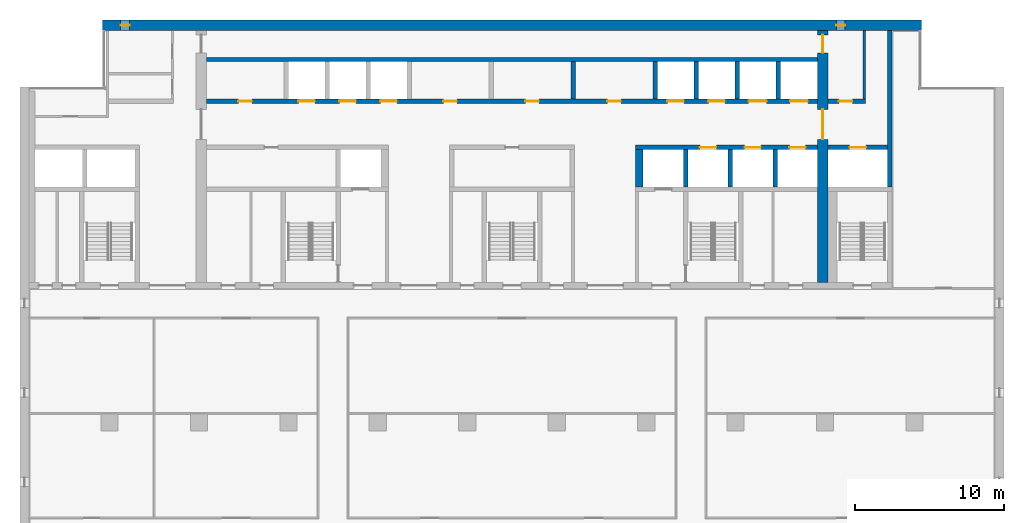
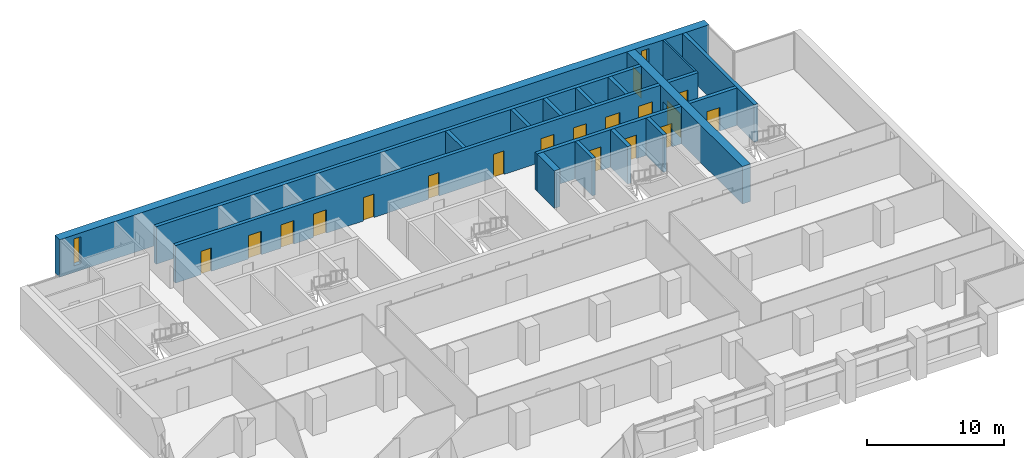
# One storey, part 11 of 16: 18 doors, 18 walls, 2 windows, 20 openings.
"""IFC4 building model written with IfcOpenShell, lengths in metres."""

from ifc_helpers import new_model, si_unit, direction, frame, frame_2d, origin, place, context, subcontext, project, spatial, rectangle, extrude, material, layer, layer_set, type_object, element, fill, save


model = new_model("IFC4")

# Units and contexts
model_context = context("Model", 3, precision=1e-05, world=origin(), true_north=direction((0.0, 1.0)))
body_context = subcontext(model_context, "Body", "Model", "MODEL_VIEW")
ifc_project = project(units=[si_unit("LENGTHUNIT", "METRE"), si_unit("AREAUNIT", "SQUARE_METRE"), si_unit("VOLUMEUNIT", "CUBIC_METRE"), si_unit("PLANEANGLEUNIT", "RADIAN"), si_unit("MASSUNIT", "GRAM", prefix="KILO")], contexts=[model_context])

# Site, building, storey
site_placement = place(None, origin())
site = spatial("IfcSite", under=ifc_project, at=site_placement, CompositionType="ELEMENT")
building_placement = place(site_placement, origin())
building = spatial("IfcBuilding", under=site, at=building_placement, Name="Calvaro Tower", CompositionType="ELEMENT")
storey_placement = place(building_placement, frame((0.0, 0.0, 181.75)))
storey = spatial("IfcBuildingStorey", under=building, at=storey_placement, Name="L45", CompositionType="ELEMENT", Elevation=181.75)

# Walls
ifc_material_1 = material(Name="Blockwork partition", Category="masonry")
ifc_layer_1 = layer(ifc_material_1, 0.14990234375)
ifc_layer_set_1 = layer_set([ifc_layer_1], Name="Blockwork partition")
wall_type_1 = type_object("IfcWallType", Name="Core partition 150 REI 120", PredefinedType="PARTITIONING", material=ifc_layer_set_1)
wall_1_placement = place(storey_placement, frame((62.625, 40.699951171875, 0.0), z_axis=(0.0, 0.0, 1.0), x_axis=(0.0, 1.0, 0.0)))
element("IfcWall", 1, at=wall_1_placement, inside=storey, type_object=wall_type_1, Name="Core partition", PredefinedType="PARTITIONING", context=body_context, shape_type="SweptSolid", body=[
    extrude(rectangle(XDim=4.60009765625, YDim=0.14990234375, at=frame_2d((2.300048828125, 0.0))), origin(), (0.0, 0.0, 1.0), 3.35009765625),
])
ifc_material_2 = material(Name="Blockwork partition", Category="masonry")
ifc_layer_2 = layer(ifc_material_2, 0.300048828125)
ifc_layer_set_2 = layer_set([ifc_layer_2], Name="Blockwork partition")
wall_type_2 = type_object("IfcWallType", Name="Core partition 300 EI 60", PredefinedType="PARTITIONING", material=ifc_layer_set_2)
wall_2_placement = place(storey_placement, frame((43.10009765625, 40.699951171875, 0.0), z_axis=(0.0, 0.0, 1.0), x_axis=(0.0, 1.0, 0.0)))
element("IfcWall", 2, at=wall_2_placement, inside=storey, type_object=wall_type_2, Name="Core partition", PredefinedType="PARTITIONING", context=body_context, shape_type="SweptSolid", body=[
    extrude(rectangle(XDim=2.5, YDim=0.300048828125, at=frame_2d((1.25, 0.0))), origin(), (0.0, 0.0, 1.0), 3.35009765625),
])

# Wall, opening, door
ifc_material_3 = material(Name="Blockwork partition", Category="masonry")
ifc_layer_3 = layer(ifc_material_3, 0.300048828125)
ifc_layer_set_3 = layer_set([ifc_layer_3], Name="Blockwork partition")
wall_type_3 = type_object("IfcWallType", Name="Core partition 300 REI 120", PredefinedType="PARTITIONING", material=ifc_layer_set_3)
wall_3_placement = place(storey_placement, frame((60.199951171875, 40.550048828125, 0.0), z_axis=(0.0, 0.0, 1.0), x_axis=(1.0, 0.0, 0.0)))
wall_3 = element("IfcWall", 3, at=wall_3_placement, inside=storey, type_object=wall_type_3, Name="Core partition", PredefinedType="PARTITIONING", context=body_context, shape_type="SweptSolid", body=[
    extrude(rectangle(XDim=2.5, YDim=0.300048828125, at=frame_2d((1.25, 0.0))), origin(), (0.0, 0.0, 1.0), 3.35009765625),
])
opening_1_placement = place(wall_3_placement, frame((0.72509765625, 0.0, 0.0)))
opening_1 = element("IfcOpeningElement", 4, at=opening_1_placement, cuts=wall_3, Name="Opening RD9E", PredefinedType="OPENING", context=body_context, shape_type="SweptSolid", body=[
    extrude(rectangle(XDim=0.89990234375, YDim=2.10009765625, at=frame_2d((0.449951171875, 1.050048828125))), frame((0.0, 0.159912109375, 0.0), z_axis=(0.0, -1.0, 0.0), x_axis=(1.0, 0.0, 0.0)), (0.0, 0.0, 1.0), 0.320068359375),
])
ifc_material_4 = material(Name="Steel door set", Category="steel")
door_type_1 = type_object("IfcDoorType", Name="Room door 900 FD60", OperationType="SINGLE_SWING_LEFT", PredefinedType="DOOR", material=ifc_material_4)
door_1_placement = place(opening_1_placement, origin())
door_1 = element("IfcDoor", 5, at=door_1_placement, inside=storey, type_object=door_type_1, Name="Room door", OperationType="SINGLE_SWING_LEFT", OverallHeight=2.10009765625, OverallWidth=0.89990234375, PredefinedType="DOOR", context=body_context, shape_type="SweptSolid", body=[
    extrude(rectangle(XDim=0.89990234375, YDim=2.10009765625, at=frame_2d((0.449951171875, 1.050048828125))), frame((0.0, 0.02490234375, 0.0), z_axis=(0.0, -1.0, 0.0), x_axis=(1.0, 0.0, 0.0)), (0.0, 0.0, 1.0), 0.050048828125),
])
fill(opening_1, door_1)

# Wall
ifc_material_5 = material(Name="Concrete C50/60", Category="concrete")
ifc_layer_4 = layer(ifc_material_5, 0.300048828125)
ifc_layer_set_4 = layer_set([ifc_layer_4], Name="Concrete C50/60")
wall_type_4 = type_object("IfcWallType", Name="Core wall C50/60 300", PredefinedType="SHEAR", material=ifc_layer_set_4)
wall_4_placement = place(storey_placement, frame((64.35009765625, 34.800048828125, 0.0), z_axis=(0.0, 0.0, 1.0), x_axis=(0.0, 1.0, 0.0)))
element("IfcWall", 6, at=wall_4_placement, inside=storey, type_object=wall_type_4, Name="Core wall, boundary", PredefinedType="SHEAR", context=body_context, shape_type="SweptSolid", body=[
    extrude(rectangle(XDim=10.5, YDim=0.300048828125, at=frame_2d((5.25, 0.0))), origin(), (0.0, 0.0, 1.0), 3.35009765625),
])

# Wall, openings, doors
wall_5_placement = place(storey_placement, frame((47.300048828125, 37.449951171875, 0.0), z_axis=(0.0, 0.0, 1.0), x_axis=(1.0, 0.0, 0.0)))
wall_5 = element("IfcWall", 7, at=wall_5_placement, inside=storey, type_object=wall_type_4, Name="Core wall, lift shaft", PredefinedType="SHEAR", context=body_context, shape_type="SweptSolid", body=[
    extrude(rectangle(XDim=12.199951171875, YDim=0.300048828125, at=frame_2d((6.10009765625, 0.0))), origin(), (0.0, 0.0, 1.0), 3.35009765625),
])
opening_2_placement = place(wall_5_placement, frame((4.300048828125, 0.0, 0.0)))
opening_2 = element("IfcOpeningElement", 8, at=opening_2_placement, cuts=wall_5, Name="Opening HR1", PredefinedType="OPENING", context=body_context, shape_type="SweptSolid", body=[
    extrude(rectangle(XDim=1.10009765625, YDim=2.10009765625, at=frame_2d((0.550048828125, 1.050048828125))), frame((0.0, 0.159912109375, 0.0), z_axis=(0.0, -1.0, 0.0), x_axis=(1.0, 0.0, 0.0)), (0.0, 0.0, 1.0), 0.320068359375),
])
opening_3_placement = place(wall_5_placement, frame((7.300048828125, 0.0, 0.0)))
opening_3 = element("IfcOpeningElement", 9, at=opening_3_placement, cuts=wall_5, Name="Opening HR2", PredefinedType="OPENING", context=body_context, shape_type="SweptSolid", body=[
    extrude(rectangle(XDim=1.10009765625, YDim=2.10009765625, at=frame_2d((0.550048828125, 1.050048828125))), frame((0.0, 0.159912109375, 0.0), z_axis=(0.0, -1.0, 0.0), x_axis=(1.0, 0.0, 0.0)), (0.0, 0.0, 1.0), 0.320068359375),
])
opening_4_placement = place(wall_5_placement, frame((10.300048828125, 0.0, 0.0)))
opening_4 = element("IfcOpeningElement", 10, at=opening_4_placement, cuts=wall_5, Name="Opening HR3", PredefinedType="OPENING", context=body_context, shape_type="SweptSolid", body=[
    extrude(rectangle(XDim=1.10009765625, YDim=2.10009765625, at=frame_2d((0.550048828125, 1.050048828125))), frame((0.0, 0.159912109375, 0.0), z_axis=(0.0, -1.0, 0.0), x_axis=(1.0, 0.0, 0.0)), (0.0, 0.0, 1.0), 0.320068359375),
])
ifc_material_6 = material(Name="Stainless steel", Category="steel")
door_type_2 = type_object("IfcDoorType", Name="Landing door 1100 E 60", OperationType="SLIDING_TO_LEFT", PredefinedType="DOOR", material=ifc_material_6)
door_2_placement = place(opening_2_placement, origin())
door_2 = element("IfcDoor", 11, at=door_2_placement, inside=storey, type_object=door_type_2, Name="Landing door HR1", OperationType="SLIDING_TO_LEFT", OverallHeight=2.10009765625, OverallWidth=1.10009765625, PredefinedType="DOOR", context=body_context, shape_type="SweptSolid", body=[
    extrude(rectangle(XDim=1.10009765625, YDim=2.10009765625, at=frame_2d((0.550048828125, 1.050048828125))), frame((0.0, 0.02490234375, 0.0), z_axis=(0.0, -1.0, 0.0), x_axis=(1.0, 0.0, 0.0)), (0.0, 0.0, 1.0), 0.050048828125),
])
fill(opening_2, door_2)
door_3_placement = place(opening_3_placement, origin())
door_3 = element("IfcDoor", 12, at=door_3_placement, inside=storey, type_object=door_type_2, Name="Landing door HR2", OperationType="SLIDING_TO_LEFT", OverallHeight=2.10009765625, OverallWidth=1.10009765625, PredefinedType="DOOR", context=body_context, shape_type="SweptSolid", body=[
    extrude(rectangle(XDim=1.10009765625, YDim=2.10009765625, at=frame_2d((0.550048828125, 1.050048828125))), frame((0.0, 0.02490234375, 0.0), z_axis=(0.0, -1.0, 0.0), x_axis=(1.0, 0.0, 0.0)), (0.0, 0.0, 1.0), 0.050048828125),
])
fill(opening_3, door_3)
door_4_placement = place(opening_4_placement, origin())
door_4 = element("IfcDoor", 13, at=door_4_placement, inside=storey, type_object=door_type_2, Name="Landing door HR3", OperationType="SLIDING_TO_LEFT", OverallHeight=2.10009765625, OverallWidth=1.10009765625, PredefinedType="DOOR", context=body_context, shape_type="SweptSolid", body=[
    extrude(rectangle(XDim=1.10009765625, YDim=2.10009765625, at=frame_2d((0.550048828125, 1.050048828125))), frame((0.0, 0.02490234375, 0.0), z_axis=(0.0, -1.0, 0.0), x_axis=(1.0, 0.0, 0.0)), (0.0, 0.0, 1.0), 0.050048828125),
])
fill(opening_4, door_4)

# Wall, opening, door
wall_6_placement = place(storey_placement, frame((60.199951171875, 37.449951171875, 0.0), z_axis=(0.0, 0.0, 1.0), x_axis=(1.0, 0.0, 0.0)))
wall_6 = element("IfcWall", 14, at=wall_6_placement, inside=storey, type_object=wall_type_4, Name="Core wall, lift shaft", PredefinedType="SHEAR", context=body_context, shape_type="SweptSolid", body=[
    extrude(rectangle(XDim=4.0, YDim=0.300048828125, at=frame_2d((2.0, 0.0))), origin(), (0.0, 0.0, 1.0), 3.35009765625),
])
opening_5_placement = place(wall_6_placement, frame((1.449951171875, 0.0, 0.0)))
opening_5 = element("IfcOpeningElement", 15, at=opening_5_placement, cuts=wall_6, Name="Opening FF3", PredefinedType="OPENING", context=body_context, shape_type="SweptSolid", body=[
    extrude(rectangle(XDim=1.10009765625, YDim=2.10009765625, at=frame_2d((0.550048828125, 1.050048828125))), frame((0.0, 0.159912109375, 0.0), z_axis=(0.0, -1.0, 0.0), x_axis=(1.0, 0.0, 0.0)), (0.0, 0.0, 1.0), 0.320068359375),
])
door_5_placement = place(opening_5_placement, origin())
door_5 = element("IfcDoor", 16, at=door_5_placement, inside=storey, type_object=door_type_2, Name="Landing door FF3", OperationType="SLIDING_TO_LEFT", OverallHeight=2.10009765625, OverallWidth=1.10009765625, PredefinedType="DOOR", context=body_context, shape_type="SweptSolid", body=[
    extrude(rectangle(XDim=1.10009765625, YDim=2.10009765625, at=frame_2d((0.550048828125, 1.050048828125))), frame((0.0, 0.02490234375, 0.0), z_axis=(0.0, -1.0, 0.0), x_axis=(1.0, 0.0, 0.0)), (0.0, 0.0, 1.0), 0.050048828125),
])
fill(opening_5, door_5)

# Wall
wall_7_placement = place(storey_placement, frame((50.64990234375, 34.800048828125, 0.0), z_axis=(0.0, 0.0, 1.0), x_axis=(0.0, 1.0, 0.0)))
element("IfcWall", 17, at=wall_7_placement, inside=storey, type_object=wall_type_4, Name="Core wall, lift shaft", PredefinedType="SHEAR", context=body_context, shape_type="SweptSolid", body=[
    extrude(rectangle(XDim=2.5, YDim=0.300048828125, at=frame_2d((1.25, 0.0))), origin(), (0.0, 0.0, 1.0), 3.35009765625),
])

# Wall, openings, doors
wall_8_placement = place(storey_placement, frame((18.5, 40.550048828125, 0.0), z_axis=(0.0, 0.0, 1.0), x_axis=(1.0, 0.0, 0.0)))
wall_8 = element("IfcWall", 18, at=wall_8_placement, inside=storey, type_object=wall_type_4, Name="Core wall, bay", PredefinedType="SHEAR", context=body_context, shape_type="SweptSolid", body=[
    extrude(rectangle(XDim=41.0, YDim=0.300048828125, at=frame_2d((20.5, 0.0))), origin(), (0.0, 0.0, 1.0), 3.35009765625),
])
opening_6_placement = place(wall_8_placement, frame((2.14990234375, 0.0, 0.0)))
opening_6 = element("IfcOpeningElement", 19, at=opening_6_placement, cuts=wall_8, Name="Opening RD9E", PredefinedType="OPENING", context=body_context, shape_type="SweptSolid", body=[
    extrude(rectangle(XDim=0.89990234375, YDim=2.10009765625, at=frame_2d((0.449951171875, 1.050048828125))), frame((0.0, 0.159912109375, 0.0), z_axis=(0.0, -1.0, 0.0), x_axis=(1.0, 0.0, 0.0)), (0.0, 0.0, 1.0), 0.320068359375),
])
opening_7_placement = place(wall_8_placement, frame((15.89990234375, 0.0, 0.0)))
opening_7 = element("IfcOpeningElement", 20, at=opening_7_placement, cuts=wall_8, Name="Opening RD9E", PredefinedType="OPENING", context=body_context, shape_type="SweptSolid", body=[
    extrude(rectangle(XDim=0.89990234375, YDim=2.10009765625, at=frame_2d((0.449951171875, 1.050048828125))), frame((0.0, 0.159912109375, 0.0), z_axis=(0.0, -1.0, 0.0), x_axis=(1.0, 0.0, 0.0)), (0.0, 0.0, 1.0), 0.320068359375),
])
opening_8_placement = place(wall_8_placement, frame((21.39990234375, 0.0, 0.0)))
opening_8 = element("IfcOpeningElement", 21, at=opening_8_placement, cuts=wall_8, Name="Opening RD9E", PredefinedType="OPENING", context=body_context, shape_type="SweptSolid", body=[
    extrude(rectangle(XDim=0.89990234375, YDim=2.10009765625, at=frame_2d((0.449951171875, 1.050048828125))), frame((0.0, 0.159912109375, 0.0), z_axis=(0.0, -1.0, 0.0), x_axis=(1.0, 0.0, 0.0)), (0.0, 0.0, 1.0), 0.320068359375),
])
opening_9_placement = place(wall_8_placement, frame((26.89990234375, 0.0, 0.0)))
opening_9 = element("IfcOpeningElement", 22, at=opening_9_placement, cuts=wall_8, Name="Opening RD9C", PredefinedType="OPENING", context=body_context, shape_type="SweptSolid", body=[
    extrude(rectangle(XDim=0.89990234375, YDim=2.10009765625, at=frame_2d((0.449951171875, 1.050048828125))), frame((0.0, 0.159912109375, 0.0), z_axis=(0.0, -1.0, 0.0), x_axis=(1.0, 0.0, 0.0)), (0.0, 0.0, 1.0), 0.320068359375),
])
opening_10_placement = place(wall_8_placement, frame((6.175048828125, 0.0, 0.0)))
opening_10 = element("IfcOpeningElement", 23, at=opening_10_placement, cuts=wall_8, Name="Opening HR4", PredefinedType="OPENING", context=body_context, shape_type="SweptSolid", body=[
    extrude(rectangle(XDim=1.10009765625, YDim=2.10009765625, at=frame_2d((0.550048828125, 1.050048828125))), frame((0.0, 0.159912109375, 0.0), z_axis=(0.0, -1.0, 0.0), x_axis=(1.0, 0.0, 0.0)), (0.0, 0.0, 1.0), 0.320068359375),
])
opening_11_placement = place(wall_8_placement, frame((8.925048828125, 0.0, 0.0)))
opening_11 = element("IfcOpeningElement", 24, at=opening_11_placement, cuts=wall_8, Name="Opening HR5", PredefinedType="OPENING", context=body_context, shape_type="SweptSolid", body=[
    extrude(rectangle(XDim=1.10009765625, YDim=2.10009765625, at=frame_2d((0.550048828125, 1.050048828125))), frame((0.0, 0.159912109375, 0.0), z_axis=(0.0, -1.0, 0.0), x_axis=(1.0, 0.0, 0.0)), (0.0, 0.0, 1.0), 0.320068359375),
])
opening_12_placement = place(wall_8_placement, frame((11.675048828125, 0.0, 0.0)))
opening_12 = element("IfcOpeningElement", 25, at=opening_12_placement, cuts=wall_8, Name="Opening HR6", PredefinedType="OPENING", context=body_context, shape_type="SweptSolid", body=[
    extrude(rectangle(XDim=1.10009765625, YDim=2.10009765625, at=frame_2d((0.550048828125, 1.050048828125))), frame((0.0, 0.159912109375, 0.0), z_axis=(0.0, -1.0, 0.0), x_axis=(1.0, 0.0, 0.0)), (0.0, 0.0, 1.0), 0.320068359375),
])
opening_13_placement = place(wall_8_placement, frame((30.925048828125, 0.0, 0.0)))
opening_13 = element("IfcOpeningElement", 26, at=opening_13_placement, cuts=wall_8, Name="Opening HR7", PredefinedType="OPENING", context=body_context, shape_type="SweptSolid", body=[
    extrude(rectangle(XDim=1.10009765625, YDim=2.10009765625, at=frame_2d((0.550048828125, 1.050048828125))), frame((0.0, 0.159912109375, 0.0), z_axis=(0.0, -1.0, 0.0), x_axis=(1.0, 0.0, 0.0)), (0.0, 0.0, 1.0), 0.320068359375),
])
opening_14_placement = place(wall_8_placement, frame((33.675048828125, 0.0, 0.0)))
opening_14 = element("IfcOpeningElement", 27, at=opening_14_placement, cuts=wall_8, Name="Opening HR8", PredefinedType="OPENING", context=body_context, shape_type="SweptSolid", body=[
    extrude(rectangle(XDim=1.10009765625, YDim=2.10009765625, at=frame_2d((0.550048828125, 1.050048828125))), frame((0.0, 0.159912109375, 0.0), z_axis=(0.0, -1.0, 0.0), x_axis=(1.0, 0.0, 0.0)), (0.0, 0.0, 1.0), 0.320068359375),
])
opening_15_placement = place(wall_8_placement, frame((36.375, 0.0, 0.0)))
opening_15 = element("IfcOpeningElement", 28, at=opening_15_placement, cuts=wall_8, Name="Opening SV1", PredefinedType="OPENING", context=body_context, shape_type="SweptSolid", body=[
    extrude(rectangle(XDim=1.199951171875, YDim=2.10009765625, at=frame_2d((0.60009765625, 1.050048828125))), frame((0.0, 0.159912109375, 0.0), z_axis=(0.0, -1.0, 0.0), x_axis=(1.0, 0.0, 0.0)), (0.0, 0.0, 1.0), 0.320068359375),
])
opening_16_placement = place(wall_8_placement, frame((39.14990234375, 0.0, 0.0)))
opening_16 = element("IfcOpeningElement", 29, at=opening_16_placement, cuts=wall_8, Name="Opening SV2", PredefinedType="OPENING", context=body_context, shape_type="SweptSolid", body=[
    extrude(rectangle(XDim=1.199951171875, YDim=2.10009765625, at=frame_2d((0.60009765625, 1.050048828125))), frame((0.0, 0.159912109375, 0.0), z_axis=(0.0, -1.0, 0.0), x_axis=(1.0, 0.0, 0.0)), (0.0, 0.0, 1.0), 0.320068359375),
])
door_6_placement = place(opening_10_placement, origin())
door_6 = element("IfcDoor", 30, at=door_6_placement, inside=storey, type_object=door_type_2, Name="Landing door HR4", OperationType="SLIDING_TO_LEFT", OverallHeight=2.10009765625, OverallWidth=1.10009765625, PredefinedType="DOOR", context=body_context, shape_type="SweptSolid", body=[
    extrude(rectangle(XDim=1.10009765625, YDim=2.10009765625, at=frame_2d((0.550048828125, 1.050048828125))), frame((0.0, 0.02490234375, 0.0), z_axis=(0.0, -1.0, 0.0), x_axis=(1.0, 0.0, 0.0)), (0.0, 0.0, 1.0), 0.050048828125),
])
fill(opening_10, door_6)
door_7_placement = place(opening_11_placement, origin())
door_7 = element("IfcDoor", 31, at=door_7_placement, inside=storey, type_object=door_type_2, Name="Landing door HR5", OperationType="SLIDING_TO_LEFT", OverallHeight=2.10009765625, OverallWidth=1.10009765625, PredefinedType="DOOR", context=body_context, shape_type="SweptSolid", body=[
    extrude(rectangle(XDim=1.10009765625, YDim=2.10009765625, at=frame_2d((0.550048828125, 1.050048828125))), frame((0.0, 0.02490234375, 0.0), z_axis=(0.0, -1.0, 0.0), x_axis=(1.0, 0.0, 0.0)), (0.0, 0.0, 1.0), 0.050048828125),
])
fill(opening_11, door_7)
door_8_placement = place(opening_12_placement, origin())
door_8 = element("IfcDoor", 32, at=door_8_placement, inside=storey, type_object=door_type_2, Name="Landing door HR6", OperationType="SLIDING_TO_LEFT", OverallHeight=2.10009765625, OverallWidth=1.10009765625, PredefinedType="DOOR", context=body_context, shape_type="SweptSolid", body=[
    extrude(rectangle(XDim=1.10009765625, YDim=2.10009765625, at=frame_2d((0.550048828125, 1.050048828125))), frame((0.0, 0.02490234375, 0.0), z_axis=(0.0, -1.0, 0.0), x_axis=(1.0, 0.0, 0.0)), (0.0, 0.0, 1.0), 0.050048828125),
])
fill(opening_12, door_8)
door_9_placement = place(opening_13_placement, origin())
door_9 = element("IfcDoor", 33, at=door_9_placement, inside=storey, type_object=door_type_2, Name="Landing door HR7", OperationType="SLIDING_TO_LEFT", OverallHeight=2.10009765625, OverallWidth=1.10009765625, PredefinedType="DOOR", context=body_context, shape_type="SweptSolid", body=[
    extrude(rectangle(XDim=1.10009765625, YDim=2.10009765625, at=frame_2d((0.550048828125, 1.050048828125))), frame((0.0, 0.02490234375, 0.0), z_axis=(0.0, -1.0, 0.0), x_axis=(1.0, 0.0, 0.0)), (0.0, 0.0, 1.0), 0.050048828125),
])
fill(opening_13, door_9)
door_10_placement = place(opening_14_placement, origin())
door_10 = element("IfcDoor", 34, at=door_10_placement, inside=storey, type_object=door_type_2, Name="Landing door HR8", OperationType="SLIDING_TO_LEFT", OverallHeight=2.10009765625, OverallWidth=1.10009765625, PredefinedType="DOOR", context=body_context, shape_type="SweptSolid", body=[
    extrude(rectangle(XDim=1.10009765625, YDim=2.10009765625, at=frame_2d((0.550048828125, 1.050048828125))), frame((0.0, 0.02490234375, 0.0), z_axis=(0.0, -1.0, 0.0), x_axis=(1.0, 0.0, 0.0)), (0.0, 0.0, 1.0), 0.050048828125),
])
fill(opening_14, door_10)
ifc_material_7 = material(Name="Stainless steel", Category="steel")
door_type_3 = type_object("IfcDoorType", Name="Landing door 1200 E 60", OperationType="SLIDING_TO_LEFT", PredefinedType="DOOR", material=ifc_material_7)
door_11_placement = place(opening_15_placement, origin())
door_11 = element("IfcDoor", 35, at=door_11_placement, inside=storey, type_object=door_type_3, Name="Landing door SV1", OperationType="SLIDING_TO_LEFT", OverallHeight=2.10009765625, OverallWidth=1.199951171875, PredefinedType="DOOR", context=body_context, shape_type="SweptSolid", body=[
    extrude(rectangle(XDim=1.199951171875, YDim=2.10009765625, at=frame_2d((0.60009765625, 1.050048828125))), frame((0.0, 0.02490234375, 0.0), z_axis=(0.0, -1.0, 0.0), x_axis=(1.0, 0.0, 0.0)), (0.0, 0.0, 1.0), 0.050048828125),
])
fill(opening_15, door_11)
door_12_placement = place(opening_16_placement, origin())
door_12 = element("IfcDoor", 36, at=door_12_placement, inside=storey, type_object=door_type_3, Name="Landing door SV2", OperationType="SLIDING_TO_LEFT", OverallHeight=2.10009765625, OverallWidth=1.199951171875, PredefinedType="DOOR", context=body_context, shape_type="SweptSolid", body=[
    extrude(rectangle(XDim=1.199951171875, YDim=2.10009765625, at=frame_2d((0.60009765625, 1.050048828125))), frame((0.0, 0.02490234375, 0.0), z_axis=(0.0, -1.0, 0.0), x_axis=(1.0, 0.0, 0.0)), (0.0, 0.0, 1.0), 0.050048828125),
])
fill(opening_16, door_12)
ifc_material_8 = material(Name="Steel door set", Category="steel")
door_type_4 = type_object("IfcDoorType", Name="Room door 900 FD30", OperationType="SINGLE_SWING_LEFT", PredefinedType="DOOR", material=ifc_material_8)
door_13_placement = place(opening_9_placement, origin())
door_13 = element("IfcDoor", 37, at=door_13_placement, inside=storey, type_object=door_type_4, Name="Room door", OperationType="SINGLE_SWING_LEFT", OverallHeight=2.10009765625, OverallWidth=0.89990234375, PredefinedType="DOOR", context=body_context, shape_type="SweptSolid", body=[
    extrude(rectangle(XDim=0.89990234375, YDim=2.10009765625, at=frame_2d((0.449951171875, 1.050048828125))), frame((0.0, 0.02490234375, 0.0), z_axis=(0.0, -1.0, 0.0), x_axis=(1.0, 0.0, 0.0)), (0.0, 0.0, 1.0), 0.050048828125),
])
fill(opening_9, door_13)
door_14_placement = place(opening_6_placement, origin())
door_14 = element("IfcDoor", 38, at=door_14_placement, inside=storey, type_object=door_type_1, Name="Room door", OperationType="SINGLE_SWING_RIGHT", OverallHeight=2.10009765625, OverallWidth=0.89990234375, PredefinedType="DOOR", context=body_context, shape_type="SweptSolid", body=[
    extrude(rectangle(XDim=0.89990234375, YDim=2.10009765625, at=frame_2d((0.449951171875, 1.050048828125))), frame((0.0, 0.02490234375, 0.0), z_axis=(0.0, -1.0, 0.0), x_axis=(1.0, 0.0, 0.0)), (0.0, 0.0, 1.0), 0.050048828125),
])
fill(opening_6, door_14)
door_15_placement = place(opening_7_placement, origin())
door_15 = element("IfcDoor", 39, at=door_15_placement, inside=storey, type_object=door_type_1, Name="Room door", OperationType="SINGLE_SWING_LEFT", OverallHeight=2.10009765625, OverallWidth=0.89990234375, PredefinedType="DOOR", context=body_context, shape_type="SweptSolid", body=[
    extrude(rectangle(XDim=0.89990234375, YDim=2.10009765625, at=frame_2d((0.449951171875, 1.050048828125))), frame((0.0, 0.02490234375, 0.0), z_axis=(0.0, -1.0, 0.0), x_axis=(1.0, 0.0, 0.0)), (0.0, 0.0, 1.0), 0.050048828125),
])
fill(opening_7, door_15)
door_16_placement = place(opening_8_placement, origin())
door_16 = element("IfcDoor", 40, at=door_16_placement, inside=storey, type_object=door_type_1, Name="Room door", OperationType="SINGLE_SWING_LEFT", OverallHeight=2.10009765625, OverallWidth=0.89990234375, PredefinedType="DOOR", context=body_context, shape_type="SweptSolid", body=[
    extrude(rectangle(XDim=0.89990234375, YDim=2.10009765625, at=frame_2d((0.449951171875, 1.050048828125))), frame((0.0, 0.02490234375, 0.0), z_axis=(0.0, -1.0, 0.0), x_axis=(1.0, 0.0, 0.0)), (0.0, 0.0, 1.0), 0.050048828125),
])
fill(opening_8, door_16)

# Walls
wall_9_placement = place(storey_placement, frame((18.5, 43.35009765625, 0.0), z_axis=(0.0, 0.0, 1.0), x_axis=(1.0, 0.0, 0.0)))
element("IfcWall", 41, at=wall_9_placement, inside=storey, type_object=wall_type_4, Name="Core wall, lift shaft", PredefinedType="SHEAR", context=body_context, shape_type="SweptSolid", body=[
    extrude(rectangle(XDim=41.0, YDim=0.300048828125, at=frame_2d((20.5, 0.0))), origin(), (0.0, 0.0, 1.0), 3.35009765625),
])
for number, where, z_axis, x_axis, name in (
    (42, (53.64990234375, 34.800048828125, 0.0), (0.0, 0.0, 1.0), (0.0, 1.0, 0.0), "Core wall, lift shaft"),
    (43, (56.64990234375, 34.800048828125, 0.0), (0.0, 0.0, 1.0), (0.0, 1.0, 0.0), "Core wall, lift shaft"),
    (44, (48.60009765625, 40.699951171875, 0.0), (0.0, 0.0, 1.0), (0.0, 1.0, 0.0), "Core wall, lift shaft"),
    (45, (51.35009765625, 40.699951171875, 0.0), (0.0, 0.0, 1.0), (0.0, 1.0, 0.0), "Core wall, lift shaft"),
    (46, (54.10009765625, 40.699951171875, 0.0), (0.0, 0.0, 1.0), (0.0, 1.0, 0.0), "Core wall, lift shaft"),
    (47, (56.85009765625, 40.699951171875, 0.0), (0.0, 0.0, 1.0), (0.0, 1.0, 0.0), "Core wall, lift shaft"),
):
    element("IfcWall", number, at=place(storey_placement, frame(where, z_axis=z_axis, x_axis=x_axis)), inside=storey, type_object=wall_type_4, Name=name, PredefinedType="SHEAR", context=body_context, shape_type="SweptSolid", body=[
        extrude(rectangle(XDim=2.5, YDim=0.300048828125, at=frame_2d((1.25, 0.0))), origin(), (0.0, 0.0, 1.0), 3.35009765625),
    ])
ifc_material_9 = material(Name="Concrete C50/60", Category="concrete")
ifc_layer_5 = layer(ifc_material_9, 0.5)
ifc_layer_set_5 = layer_set([ifc_layer_5], Name="Concrete C50/60")
wall_type_5 = type_object("IfcWallType", Name="Core wall C50/60 500", PredefinedType="SHEAR", material=ifc_layer_set_5)
wall_10_placement = place(storey_placement, frame((47.550048828125, 34.800048828125, 0.0), z_axis=(0.0, 0.0, 1.0), x_axis=(0.0, 1.0, 0.0)))
element("IfcWall", 48, at=wall_10_placement, inside=storey, type_object=wall_type_5, Name="Core wall, lift shaft", PredefinedType="SHEAR", context=body_context, shape_type="SweptSolid", body=[
    extrude(rectangle(XDim=2.5, YDim=0.5, at=frame_2d((1.25, 0.0))), origin(), (0.0, 0.0, 1.0), 3.35009765625),
])

# Wall, openings, doors
ifc_material_10 = material(Name="Concrete C50/60", Category="concrete")
ifc_layer_6 = layer(ifc_material_10, 0.699951171875)
ifc_layer_set_6 = layer_set([ifc_layer_6], Name="Concrete C50/60")
wall_type_6 = type_object("IfcWallType", Name="Core wall C50/60 700", PredefinedType="SHEAR", material=ifc_layer_set_6)
wall_11_placement = place(storey_placement, frame((59.85009765625, 28.39990234375, 0.0), z_axis=(0.0, 0.0, 1.0), x_axis=(0.0, 1.0, 0.0)))
wall_11 = element("IfcWall", 49, at=wall_11_placement, inside=storey, type_object=wall_type_6, Name="Core wall, cross shear wall", PredefinedType="SHEAR", context=body_context, shape_type="SweptSolid", body=[
    extrude(rectangle(XDim=16.900146484375, YDim=0.699951171875, at=frame_2d((8.4501953125, 0.0))), origin(), (0.0, 0.0, 1.0), 3.35009765625),
])
opening_17_placement = place(wall_11_placement, frame((9.60009765625, 0.0, 0.0)))
opening_17 = element("IfcOpeningElement", 50, at=opening_17_placement, cuts=wall_11, Name="Opening DD20D", PredefinedType="OPENING", context=body_context, shape_type="SweptSolid", body=[
    extrude(rectangle(XDim=2.0, YDim=2.10009765625, at=frame_2d((1.0, 1.050048828125))), frame((0.0, 0.35986328125, 0.0), z_axis=(0.0, -1.0, 0.0), x_axis=(1.0, 0.0, 0.0)), (0.0, 0.0, 1.0), 0.719970703125),
])
opening_18_placement = place(wall_11_placement, frame((15.39990234375, 0.0, 0.0)))
opening_18 = element("IfcOpeningElement", 51, at=opening_18_placement, cuts=wall_11, Name="Opening FD12C", PredefinedType="OPENING", context=body_context, shape_type="SweptSolid", body=[
    extrude(rectangle(XDim=1.199951171875, YDim=2.10009765625, at=frame_2d((0.60009765625, 1.050048828125))), frame((0.0, 0.35986328125, 0.0), z_axis=(0.0, -1.0, 0.0), x_axis=(1.0, 0.0, 0.0)), (0.0, 0.0, 1.0), 0.719970703125),
])
ifc_material_11 = material(Name="Steel door set", Category="steel")
door_type_5 = type_object("IfcDoorType", Name="Fire door 1200 FD30", OperationType="SINGLE_SWING_LEFT", PredefinedType="DOOR", material=ifc_material_11)
door_17_placement = place(opening_18_placement, origin())
door_17 = element("IfcDoor", 52, at=door_17_placement, inside=storey, type_object=door_type_5, Name="Fire door", OperationType="SINGLE_SWING_LEFT", OverallHeight=2.10009765625, OverallWidth=1.199951171875, PredefinedType="DOOR", context=body_context, shape_type="SweptSolid", body=[
    extrude(rectangle(XDim=1.199951171875, YDim=2.10009765625, at=frame_2d((0.60009765625, 1.050048828125))), frame((0.0, 0.02490234375, 0.0), z_axis=(0.0, -1.0, 0.0), x_axis=(1.0, 0.0, 0.0)), (0.0, 0.0, 1.0), 0.050048828125),
])
fill(opening_18, door_17)
ifc_material_12 = material(Name="Steel door set", Category="steel")
door_type_6 = type_object("IfcDoorType", Name="Lobby double door 2000 FD30S", OperationType="DOUBLE_DOOR_SINGLE_SWING", PredefinedType="DOOR", material=ifc_material_12)
door_18_placement = place(opening_17_placement, origin())
door_18 = element("IfcDoor", 53, at=door_18_placement, inside=storey, type_object=door_type_6, Name="Lobby double door", OperationType="DOUBLE_DOOR_SINGLE_SWING", OverallHeight=2.10009765625, OverallWidth=2.0, PredefinedType="DOOR", context=body_context, shape_type="SweptSolid", body=[
    extrude(rectangle(XDim=2.0, YDim=2.10009765625, at=frame_2d((1.0, 1.050048828125))), frame((0.0, 0.02490234375, 0.0), z_axis=(0.0, -1.0, 0.0), x_axis=(1.0, 0.0, 0.0)), (0.0, 0.0, 1.0), 0.050048828125),
])
fill(opening_17, door_18)

# Wall, openings, windows
ifc_material_13 = material(Name="Concrete C50/60", Category="concrete")
ifc_layer_7 = layer(ifc_material_13, 0.699951171875)
ifc_layer_set_7 = layer_set([ifc_layer_7], Name="Concrete C50/60")
wall_type_7 = type_object("IfcWallType", Name="Rear core wall 700 C50/60", PredefinedType="SHEAR", material=ifc_layer_set_7)
wall_12_placement = place(storey_placement, frame((11.550048828125, 45.64990234375, 0.0), z_axis=(0.0, 0.0, 1.0), x_axis=(1.0, 0.0, 0.0)))
wall_12 = element("IfcWall", 54, at=wall_12_placement, inside=storey, type_object=wall_type_7, Name="North core wall", PredefinedType="SHEAR", context=body_context, shape_type="SweptSolid", body=[
    extrude(rectangle(XDim=54.89990234375, YDim=0.699951171875, at=frame_2d((27.449951171875, 0.0))), origin(), (0.0, 0.0, 1.0), 3.35009765625),
])
opening_19_placement = place(wall_12_placement, frame((1.199951171875, 0.0, 0.60009765625)))
opening_19 = element("IfcOpeningElement", 55, at=opening_19_placement, cuts=wall_12, Name="Opening WN01", PredefinedType="OPENING", context=body_context, shape_type="SweptSolid", body=[
    extrude(rectangle(XDim=0.60009765625, YDim=2.39990234375, at=frame_2d((0.300048828125, 1.199951171875))), frame((0.0, 0.35986328125, 0.0), z_axis=(0.0, -1.0, 0.0), x_axis=(1.0, 0.0, 0.0)), (0.0, 0.0, 1.0), 0.719970703125),
])
opening_20_placement = place(wall_12_placement, frame((49.199951171875, 0.0, 0.60009765625)))
opening_20 = element("IfcOpeningElement", 56, at=opening_20_placement, cuts=wall_12, Name="Opening WN09", PredefinedType="OPENING", context=body_context, shape_type="SweptSolid", body=[
    extrude(rectangle(XDim=0.60009765625, YDim=2.39990234375, at=frame_2d((0.300048828125, 1.199951171875))), frame((0.0, 0.35986328125, 0.0), z_axis=(0.0, -1.0, 0.0), x_axis=(1.0, 0.0, 0.0)), (0.0, 0.0, 1.0), 0.719970703125),
])
ifc_material_14 = material(Name="Glass", Category="glass")
window_type = type_object("IfcWindowType", Name="Slit window 600 x 2400", PartitioningType="SINGLE_PANEL", PredefinedType="WINDOW", material=ifc_material_14)
window_1_placement = place(opening_19_placement, origin())
window_1 = element("IfcWindow", 57, at=window_1_placement, inside=storey, type_object=window_type, Name="Window WN01", OverallHeight=2.39990234375, OverallWidth=0.60009765625, PartitioningType="SINGLE_PANEL", PredefinedType="WINDOW", context=body_context, shape_type="SweptSolid", body=[
    extrude(rectangle(XDim=0.60009765625, YDim=2.39990234375, at=frame_2d((0.300048828125, 1.199951171875))), frame((0.0, 0.030029296875, 0.0), z_axis=(0.0, -1.0, 0.0), x_axis=(1.0, 0.0, 0.0)), (0.0, 0.0, 1.0), 0.06005859375),
])
fill(opening_19, window_1)
window_2_placement = place(opening_20_placement, origin())
window_2 = element("IfcWindow", 58, at=window_2_placement, inside=storey, type_object=window_type, Name="Window WN09", OverallHeight=2.39990234375, OverallWidth=0.60009765625, PartitioningType="SINGLE_PANEL", PredefinedType="WINDOW", context=body_context, shape_type="SweptSolid", body=[
    extrude(rectangle(XDim=0.60009765625, YDim=2.39990234375, at=frame_2d((0.300048828125, 1.199951171875))), frame((0.0, 0.030029296875, 0.0), z_axis=(0.0, -1.0, 0.0), x_axis=(1.0, 0.0, 0.0)), (0.0, 0.0, 1.0), 0.06005859375),
])
fill(opening_20, window_2)

save(model, "model.ifc")
